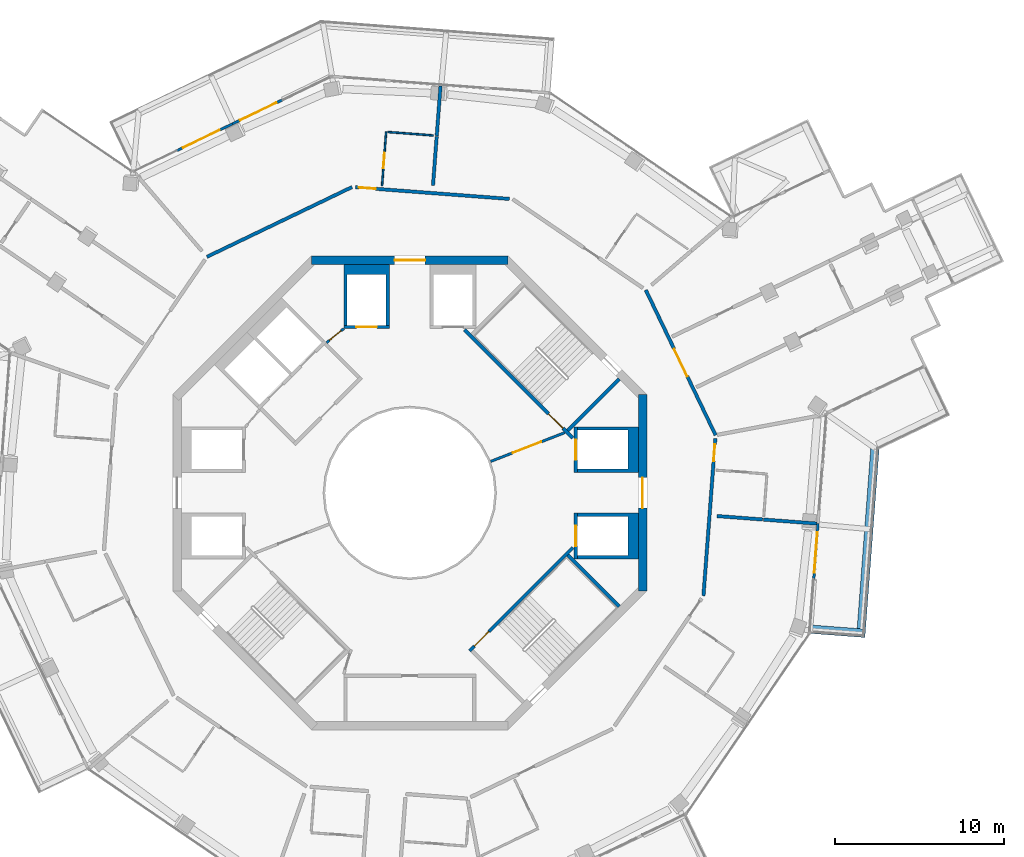
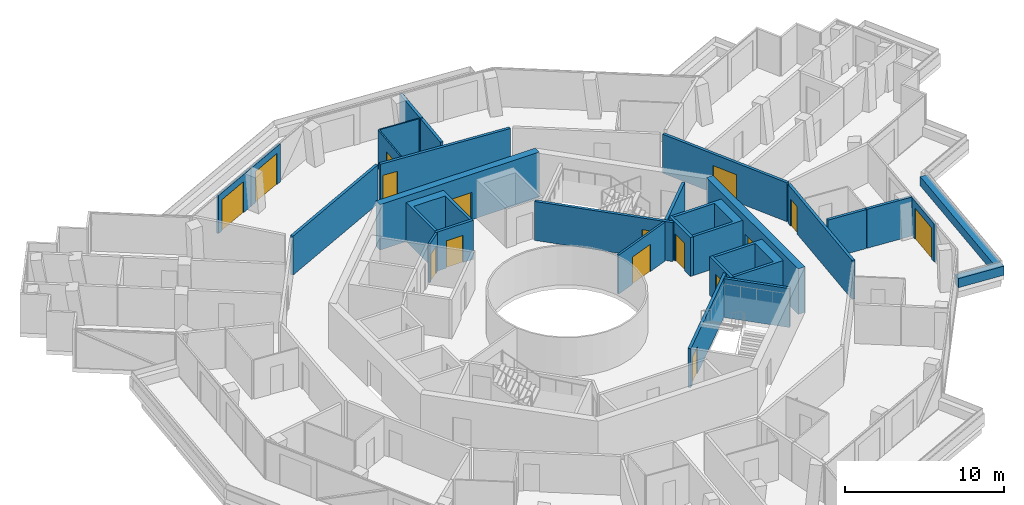
# One storey, part 18 of 23: 29 walls, 16 doors, 16 openings.
"""IFC4 building model written with IfcOpenShell, lengths in metres."""

from ifc_helpers import new_model, si_unit, direction, frame, frame_2d, origin, place, context, subcontext, project, spatial, polyline, rectangle, outline, extrude, material, layer, layer_set, type_object, element, fill, save


model = new_model("IFC4")

# Units and contexts
model_context = context("Model", 3, precision=1e-05, world=origin(), true_north=direction((0.0, 1.0)))
body_context = subcontext(model_context, "Body", "Model", "MODEL_VIEW")
ifc_project = project(units=[si_unit("LENGTHUNIT", "METRE"), si_unit("AREAUNIT", "SQUARE_METRE"), si_unit("VOLUMEUNIT", "CUBIC_METRE"), si_unit("PLANEANGLEUNIT", "RADIAN"), si_unit("MASSUNIT", "GRAM", prefix="KILO")], contexts=[model_context])

# Site, building, storey
site_placement = place(None, origin())
site = spatial("IfcSite", under=ifc_project, at=site_placement, CompositionType="ELEMENT")
building_placement = place(site_placement, origin())
building = spatial("IfcBuilding", under=site, at=building_placement, Name="Verdalira Terraces Hotel", CompositionType="ELEMENT")
storey_placement = place(building_placement, frame((0.0, 0.0, 259.5)))
storey = spatial("IfcBuildingStorey", under=building, at=storey_placement, Name="L64", CompositionType="ELEMENT", Elevation=259.5)

# Walls
ifc_material_1 = material(Name="Concrete C40", Category="concrete")
ifc_layer_1 = layer(ifc_material_1, 0.5)
ifc_layer_set_1 = layer_set([ifc_layer_1], Name="Balcony planter trough with tree")
wall_type_1 = type_object("IfcWallType", Name="Balcony planter trough with tree", PredefinedType="SOLIDWALL", material=ifc_layer_set_1)
wall_1_placement = place(storey_placement, frame((23.719727, -8.05957, 0.0), z_axis=(0.0, 0.0, 1.0), x_axis=(0.997158606, -0.075330696, 0.0)))
element("IfcWall", 1, at=wall_1_placement, inside=storey, type_object=wall_type_1, Name="Balcony planter", PredefinedType="SOLIDWALL", context=body_context, shape_type="SweptSolid", body=[
    extrude(rectangle(XDim=3.19873, YDim=0.5, at=frame_2d((1.599365, 0.0))), origin(), (0.0, 0.0, 1.0), 0.699951),
])
wall_2_placement = place(storey_placement, frame((26.678955, -8.032471, 0.0), z_axis=(0.0, 0.0, 1.0), x_axis=(0.075332915, 0.997158439, 0.0)))
element("IfcWall", 2, at=wall_2_placement, inside=storey, type_object=wall_type_1, Name="Balcony planter", PredefinedType="SOLIDWALL", context=body_context, shape_type="SweptSolid", body=[
    extrude(rectangle(XDim=10.652588, YDim=0.5, at=frame_2d((5.326172, 0.0))), origin(), (0.0, 0.0, 1.0), 0.699951),
])

# Wall, opening, door
ifc_material_2 = material(Name="Moisture-resistant gypsum board partition")
ifc_layer_2 = layer(ifc_material_2, 0.10009765625)
ifc_layer_set_2 = layer_set([ifc_layer_2], Name="Bathroom partition 100 mm")
wall_type_2 = type_object("IfcWallType", Name="Bathroom partition 100 mm", PredefinedType="PARTITIONING", material=ifc_layer_set_2)
wall_3_placement = place(storey_placement, frame((-1.397705, 21.324219, 0.0), z_axis=(0.0, 0.0, 1.0), x_axis=(-0.075302041, -0.997160771, 0.0)))
wall_3 = element("IfcWall", 3, at=wall_3_placement, inside=storey, type_object=wall_type_2, Name="Bathroom partition", PredefinedType="PARTITIONING", context=body_context, shape_type="SweptSolid", body=[
    extrude(rectangle(XDim=3.199951, YDim=0.100098, at=frame_2d((1.600098, 0.0))), origin(), (0.0, 0.0, 1.0), 3.0),
])
opening_1_placement = place(wall_3_placement, frame((1.25, 0.0, 0.0)))
opening_1 = element("IfcOpeningElement", 4, at=opening_1_placement, cuts=wall_3, Name="Opening L64-128", PredefinedType="OPENING", context=body_context, shape_type="SweptSolid", body=[
    extrude(rectangle(XDim=0.899902, YDim=2.100098, at=frame_2d((0.449951, 1.050049))), frame((0.0, 0.060059, 0.0), z_axis=(0.0, -1.0, 0.0), x_axis=(1.0, 0.0, 0.0)), (0.0, 0.0, 1.0), 0.120117),
])
ifc_material_3 = material(Name="Timber door", Category="wood")
door_type_1 = type_object("IfcDoorType", Name="Bathroom door 900 x 2100", OperationType="NOTDEFINED", PredefinedType="DOOR", material=ifc_material_3)
door_1_placement = place(opening_1_placement, origin())
door_1 = element("IfcDoor", 5, at=door_1_placement, inside=storey, type_object=door_type_1, Name="Bathroom door 6412", OperationType="SINGLE_SWING_LEFT", OverallHeight=2.10009765625, OverallWidth=0.89990234375, PredefinedType="DOOR", context=body_context, shape_type="SweptSolid", body=[
    extrude(rectangle(XDim=0.899902, YDim=2.100098, at=frame_2d((0.449951, 1.050049))), frame((0.0, 0.024902, 0.0), z_axis=(0.0, -1.0, 0.0), x_axis=(1.0, 0.0, 0.0)), (0.0, 0.0, 1.0), 0.050049),
])
fill(opening_1, door_1)

# Walls
wall_4_placement = place(storey_placement, frame((-1.298096, 21.31665, 0.0), z_axis=(0.0, 0.0, 1.0), x_axis=(0.997159381, -0.075320436, 0.0)))
element("IfcWall", 6, at=wall_4_placement, inside=storey, type_object=wall_type_2, Name="Bathroom partition", PredefinedType="PARTITIONING", context=body_context, shape_type="SweptSolid", body=[
    extrude(rectangle(XDim=2.699951, YDim=0.100098, at=frame_2d((1.350098, 0.0))), origin(), (0.0, 0.0, 1.0), 3.0),
])
ifc_material_4 = material(Name="Concrete C50", Category="concrete")
ifc_layer_3 = layer(ifc_material_4, 0.199951171875)
ifc_layer_set_3 = layer_set([ifc_layer_3], Name="Core RC wall 200 C50")
wall_type_3 = type_object("IfcWallType", Name="Core RC wall 200 C50", PredefinedType="SOLIDWALL", material=ifc_layer_set_3)
wall_5_placement = place(storey_placement, origin())
element("IfcWall", 7, at=wall_5_placement, inside=storey, type_object=wall_type_3, Name="L64 shaft wall E1", PredefinedType="SOLIDWALL", context=body_context, shape_type="SweptSolid", body=[
    extrude(outline(polyline([(13.5, -3.899902), (9.899902, -3.899902), (9.899902, -3.699951), (12.899902, -3.699951), (12.899902, -1.399902), (9.899902, -1.399902), (9.899902, -1.199951), (13.5, -1.199951), (13.5, -3.899902)])), origin(), (0.0, 0.0, 1.0), 3.0),
])

# Wall, opening, door
wall_6_placement = place(storey_placement, frame((9.800049, -1.199951, 0.0), z_axis=(0.0, 0.0, 1.0), x_axis=(0.0, -1.0, 0.0)))
wall_6 = element("IfcWall", 8, at=wall_6_placement, inside=storey, type_object=wall_type_3, Name="L64 shaft front wall E1", PredefinedType="SOLIDWALL", context=body_context, shape_type="SweptSolid", body=[
    extrude(rectangle(XDim=2.699951, YDim=0.199951, at=frame_2d((1.350098, 0.0))), origin(), (0.0, 0.0, 1.0), 3.0),
])
opening_2_placement = place(wall_6_placement, frame((0.75, 0.0, 0.0)))
opening_2 = element("IfcOpeningElement", 9, at=opening_2_placement, cuts=wall_6, Name="Opening LD-L64-802", PredefinedType="OPENING", context=body_context, shape_type="SweptSolid", body=[
    extrude(rectangle(XDim=1.199951, YDim=2.100098, at=frame_2d((0.600098, 1.050049))), frame((0.0, 0.109863, 0.0), z_axis=(0.0, -1.0, 0.0), x_axis=(1.0, 0.0, 0.0)), (0.0, 0.0, 1.0), 0.219971),
])
ifc_material_5 = material(Name="Stainless steel", Category="steel")
door_type_2 = type_object("IfcDoorType", Name="Landing door 1200 x 2100", OperationType="NOTDEFINED", PredefinedType="DOOR", material=ifc_material_5)
door_2_placement = place(opening_2_placement, origin())
door_2 = element("IfcDoor", 10, at=door_2_placement, inside=storey, type_object=door_type_2, Name="Lift landing door HR1 L64", OperationType="DOUBLE_DOOR_SLIDING", OverallHeight=2.10009765625, OverallWidth=1.199951171875, PredefinedType="DOOR", context=body_context, shape_type="SweptSolid", body=[
    extrude(rectangle(XDim=1.199951, YDim=2.100098, at=frame_2d((0.600098, 1.050049))), frame((0.0, 0.024902, 0.0), z_axis=(0.0, -1.0, 0.0), x_axis=(1.0, 0.0, 0.0)), (0.0, 0.0, 1.0), 0.050049),
])
fill(opening_2, door_2)

# Wall
wall_7_placement = place(storey_placement, origin())
element("IfcWall", 11, at=wall_7_placement, inside=storey, type_object=wall_type_3, Name="L64 shaft wall E2", PredefinedType="SOLIDWALL", context=body_context, shape_type="SweptSolid", body=[
    extrude(outline(polyline([(13.5, 3.899902), (13.5, 1.199951), (9.899902, 1.199951), (9.899902, 1.399902), (12.899902, 1.399902), (12.899902, 3.699951), (9.899902, 3.699951), (9.899902, 3.899902), (13.5, 3.899902)])), origin(), (0.0, 0.0, 1.0), 3.0),
])

# Wall, opening, door
wall_8_placement = place(storey_placement, frame((9.800049, 1.199951, 0.0), z_axis=(0.0, 0.0, 1.0), x_axis=(0.0, 1.0, 0.0)))
wall_8 = element("IfcWall", 12, at=wall_8_placement, inside=storey, type_object=wall_type_3, Name="L64 shaft front wall E2", PredefinedType="SOLIDWALL", context=body_context, shape_type="SweptSolid", body=[
    extrude(rectangle(XDim=2.699951, YDim=0.199951, at=frame_2d((1.350098, 0.0))), origin(), (0.0, 0.0, 1.0), 3.0),
])
opening_3_placement = place(wall_8_placement, frame((0.75, 0.0, 0.0)))
opening_3 = element("IfcOpeningElement", 13, at=opening_3_placement, cuts=wall_8, Name="Opening LD-L64-803", PredefinedType="OPENING", context=body_context, shape_type="SweptSolid", body=[
    extrude(rectangle(XDim=1.199951, YDim=2.100098, at=frame_2d((0.600098, 1.050049))), frame((0.0, 0.109863, 0.0), z_axis=(0.0, -1.0, 0.0), x_axis=(1.0, 0.0, 0.0)), (0.0, 0.0, 1.0), 0.219971),
])
door_3_placement = place(opening_3_placement, origin())
door_3 = element("IfcDoor", 14, at=door_3_placement, inside=storey, type_object=door_type_2, Name="Lift landing door HR2 L64", OperationType="DOUBLE_DOOR_SLIDING", OverallHeight=2.10009765625, OverallWidth=1.199951171875, PredefinedType="DOOR", context=body_context, shape_type="SweptSolid", body=[
    extrude(rectangle(XDim=1.199951, YDim=2.100098, at=frame_2d((0.600098, 1.050049))), frame((0.0, 0.024902, 0.0), z_axis=(0.0, -1.0, 0.0), x_axis=(1.0, 0.0, 0.0)), (0.0, 0.0, 1.0), 0.050049),
])
fill(opening_3, door_3)

# Wall
wall_9_placement = place(storey_placement, origin())
element("IfcWall", 15, at=wall_9_placement, inside=storey, type_object=wall_type_3, Name="L64 shaft wall N2", PredefinedType="SOLIDWALL", context=body_context, shape_type="SweptSolid", body=[
    extrude(outline(polyline([(-3.899902, 13.5), (-1.199951, 13.5), (-1.199951, 9.899902), (-1.399902, 9.899902), (-1.399902, 12.899902), (-3.699951, 12.899902), (-3.699951, 9.899902), (-3.899902, 9.899902), (-3.899902, 13.5)])), origin(), (0.0, 0.0, 1.0), 3.0),
])

# Wall, opening, door
wall_10_placement = place(storey_placement, frame((-1.199951, 9.800049, 0.0), z_axis=(0.0, 0.0, 1.0), x_axis=(-1.0, 0.0, 0.0)))
wall_10 = element("IfcWall", 16, at=wall_10_placement, inside=storey, type_object=wall_type_3, Name="L64 shaft front wall N2", PredefinedType="SOLIDWALL", context=body_context, shape_type="SweptSolid", body=[
    extrude(rectangle(XDim=2.699951, YDim=0.199951, at=frame_2d((1.350098, 0.0))), origin(), (0.0, 0.0, 1.0), 3.0),
])
opening_4_placement = place(wall_10_placement, frame((0.75, 0.0, 0.0)))
opening_4 = element("IfcOpeningElement", 17, at=opening_4_placement, cuts=wall_10, Name="Opening LD-L64-805", PredefinedType="OPENING", context=body_context, shape_type="SweptSolid", body=[
    extrude(rectangle(XDim=1.199951, YDim=2.100098, at=frame_2d((0.600098, 1.050049))), frame((0.0, 0.109863, 0.0), z_axis=(0.0, -1.0, 0.0), x_axis=(1.0, 0.0, 0.0)), (0.0, 0.0, 1.0), 0.219971),
])
door_4_placement = place(opening_4_placement, origin())
door_4 = element("IfcDoor", 18, at=door_4_placement, inside=storey, type_object=door_type_2, Name="Lift landing door HR4 L64", OperationType="DOUBLE_DOOR_SLIDING", OverallHeight=2.10009765625, OverallWidth=1.199951171875, PredefinedType="DOOR", context=body_context, shape_type="SweptSolid", body=[
    extrude(rectangle(XDim=1.199951, YDim=2.100098, at=frame_2d((0.600098, 1.050049))), frame((0.0, 0.024902, 0.0), z_axis=(0.0, -1.0, 0.0), x_axis=(1.0, 0.0, 0.0)), (0.0, 0.0, 1.0), 0.050049),
])
fill(opening_4, door_4)

wall_11_placement = place(storey_placement, frame((3.23999, 9.629395, 0.0), z_axis=(0.0, 0.0, 1.0), x_axis=(0.707106781, -0.707106781, 0.0)))
wall_11 = element("IfcWall", 19, at=wall_11_placement, inside=storey, type_object=wall_type_3, Name="L64 stair ST1 front wall", PredefinedType="SOLIDWALL", context=body_context, shape_type="SweptSolid", body=[
    extrude(rectangle(XDim=9.035889, YDim=0.199951, at=frame_2d((4.518066, 0.0))), origin(), (0.0, 0.0, 1.0), 3.0),
])
opening_5_placement = place(wall_11_placement, frame((7.017822, 0.0, 0.0)))
opening_5 = element("IfcOpeningElement", 20, at=opening_5_placement, cuts=wall_11, Name="Opening L64-810", PredefinedType="OPENING", context=body_context, shape_type="SweptSolid", body=[
    extrude(rectangle(XDim=1.199951, YDim=2.100098, at=frame_2d((0.600098, 1.050049))), frame((0.0, 0.109863, 0.0), z_axis=(0.0, -1.0, 0.0), x_axis=(1.0, 0.0, 0.0)), (0.0, 0.0, 1.0), 0.219971),
])
ifc_material_6 = material(Name="Steel fire door", Category="steel")
door_type_3 = type_object("IfcDoorType", Name="Stair door 1200 x 2100", OperationType="NOTDEFINED", PredefinedType="DOOR", material=ifc_material_6)
door_5_placement = place(opening_5_placement, origin())
door_5 = element("IfcDoor", 21, at=door_5_placement, inside=storey, type_object=door_type_3, Name="Stair door ST1 L64", OperationType="SINGLE_SWING_RIGHT", OverallHeight=2.10009765625, OverallWidth=1.199951171875, PredefinedType="DOOR", context=body_context, shape_type="SweptSolid", body=[
    extrude(rectangle(XDim=1.199951, YDim=2.100098, at=frame_2d((0.600098, 1.050049))), frame((0.0, 0.024902, 0.0), z_axis=(0.0, -1.0, 0.0), x_axis=(1.0, 0.0, 0.0)), (0.0, 0.0, 1.0), 0.050049),
])
fill(opening_5, door_5)

# Wall
wall_12_placement = place(storey_placement, frame((9.33374, 3.677002, 0.0), z_axis=(0.0, 0.0, 1.0), x_axis=(0.707135168, 0.707078393, 0.0)))
element("IfcWall", 22, at=wall_12_placement, inside=storey, type_object=wall_type_3, Name="L64 stair ST1 end wall 1", PredefinedType="SOLIDWALL", context=body_context, shape_type="SweptSolid", body=[
    extrude(rectangle(XDim=4.300049, YDim=0.199951, at=frame_2d((2.149902, 0.0))), origin(), (0.0, 0.0, 1.0), 3.0),
])

# Wall, opening, door
wall_13_placement = place(storey_placement, frame((9.629395, -3.23999, 0.0), z_axis=(0.0, 0.0, 1.0), x_axis=(-0.707120946, -0.707092617, 0.0)))
wall_13 = element("IfcWall", 23, at=wall_13_placement, inside=storey, type_object=wall_type_3, Name="L64 stair ST3 front wall", PredefinedType="SOLIDWALL", context=body_context, shape_type="SweptSolid", body=[
    extrude(rectangle(XDim=8.61792, YDim=0.199951, at=frame_2d((4.309082, 0.0))), origin(), (0.0, 0.0, 1.0), 3.0),
])
opening_6_placement = place(wall_13_placement, frame((7.017822, 0.0, 0.0)))
opening_6 = element("IfcOpeningElement", 24, at=opening_6_placement, cuts=wall_13, Name="Opening L64-812", PredefinedType="OPENING", context=body_context, shape_type="SweptSolid", body=[
    extrude(rectangle(XDim=1.199951, YDim=2.100098, at=frame_2d((0.600098, 1.050049))), frame((0.0, 0.109863, 0.0), z_axis=(0.0, -1.0, 0.0), x_axis=(1.0, 0.0, 0.0)), (0.0, 0.0, 1.0), 0.219971),
])
door_6_placement = place(opening_6_placement, origin())
door_6 = element("IfcDoor", 25, at=door_6_placement, inside=storey, type_object=door_type_3, Name="Stair door ST3 L64", OperationType="SINGLE_SWING_RIGHT", OverallHeight=2.10009765625, OverallWidth=1.199951171875, PredefinedType="DOOR", context=body_context, shape_type="SweptSolid", body=[
    extrude(rectangle(XDim=1.199951, YDim=2.100098, at=frame_2d((0.600098, 1.050049))), frame((0.0, 0.024902, 0.0), z_axis=(0.0, -1.0, 0.0), x_axis=(1.0, 0.0, 0.0)), (0.0, 0.0, 1.0), 0.050049),
])
fill(opening_6, door_6)

# Wall
wall_14_placement = place(storey_placement, frame((9.33374, -3.677002, 0.0), z_axis=(0.0, 0.0, 1.0), x_axis=(0.707135168, -0.707078393, 0.0)))
element("IfcWall", 26, at=wall_14_placement, inside=storey, type_object=wall_type_3, Name="L64 stair ST3 end wall 2", PredefinedType="SOLIDWALL", context=body_context, shape_type="SweptSolid", body=[
    extrude(rectangle(XDim=4.300049, YDim=0.199951, at=frame_2d((2.149902, 0.0))), origin(), (0.0, 0.0, 1.0), 3.0),
])

# Wall, opening, door
ifc_material_7 = material(Name="Gypsum board partition")
ifc_layer_4 = layer(ifc_material_7, 0.14990234375)
ifc_layer_set_4 = layer_set([ifc_layer_4], Name="Core partition 150 mm")
wall_type_4 = type_object("IfcWallType", Name="Core partition 150 mm", PredefinedType="PARTITIONING", material=ifc_layer_set_4)
wall_15_placement = place(storey_placement, frame((-3.899902, 9.699951, 0.0), z_axis=(0.0, 0.0, 1.0), x_axis=(-0.775559878, -0.631274009, 0.0)))
wall_15 = element("IfcWall", 27, at=wall_15_placement, inside=storey, type_object=wall_type_4, Name="Room partition L64", PredefinedType="PARTITIONING", context=body_context, shape_type="SweptSolid", body=[
    extrude(rectangle(XDim=1.307861, YDim=0.149902, at=frame_2d((0.653809, 0.0))), origin(), (0.0, 0.0, 1.0), 3.0),
])
opening_7_placement = place(wall_15_placement, frame((0.204102, 0.0, 0.0)))
opening_7 = element("IfcOpeningElement", 28, at=opening_7_placement, cuts=wall_15, Name="Opening L64-820", PredefinedType="OPENING", context=body_context, shape_type="SweptSolid", body=[
    extrude(rectangle(XDim=0.899902, YDim=2.100098, at=frame_2d((0.449951, 1.050049))), frame((0.0, 0.084961, 0.0), z_axis=(0.0, -1.0, 0.0), x_axis=(1.0, 0.0, 0.0)), (0.0, 0.0, 1.0), 0.169922),
])
ifc_material_8 = material(Name="Steel fire door", Category="steel")
door_type_4 = type_object("IfcDoorType", Name="Core room door 900 x 2100", OperationType="NOTDEFINED", PredefinedType="DOOR", material=ifc_material_8)
door_7_placement = place(opening_7_placement, origin())
door_7 = element("IfcDoor", 29, at=door_7_placement, inside=storey, type_object=door_type_4, Name="Door L64 room2", OperationType="SINGLE_SWING_LEFT", OverallHeight=2.10009765625, OverallWidth=0.89990234375, PredefinedType="DOOR", context=body_context, shape_type="SweptSolid", body=[
    extrude(rectangle(XDim=0.899902, YDim=2.100098, at=frame_2d((0.449951, 1.050049))), frame((0.0, 0.024902, 0.0), z_axis=(0.0, -1.0, 0.0), x_axis=(1.0, 0.0, 0.0)), (0.0, 0.0, 1.0), 0.050049),
])
fill(opening_7, door_7)

wall_16_placement = place(storey_placement, frame((4.781982, 1.857178, 0.0), z_axis=(0.0, 0.0, 1.0), x_axis=(0.932155279, 0.362058746, 0.0)))
wall_16 = element("IfcWall", 30, at=wall_16_placement, inside=storey, type_object=wall_type_4, Name="Gallery fire partition L64", PredefinedType="PARTITIONING", context=body_context, shape_type="SweptSolid", body=[
    extrude(rectangle(XDim=4.682373, YDim=0.149902, at=frame_2d((2.341309, 0.0))), origin(), (0.0, 0.0, 1.0), 3.0),
])
opening_8_placement = place(wall_16_placement, frame((1.399902, 0.0, 0.0)))
opening_8 = element("IfcOpeningElement", 31, at=opening_8_placement, cuts=wall_16, Name="Opening L64-823", PredefinedType="OPENING", context=body_context, shape_type="SweptSolid", body=[
    extrude(rectangle(XDim=1.800049, YDim=2.100098, at=frame_2d((0.899902, 1.050049))), frame((0.0, 0.084961, 0.0), z_axis=(0.0, -1.0, 0.0), x_axis=(1.0, 0.0, 0.0)), (0.0, 0.0, 1.0), 0.169922),
])
ifc_material_9 = material(Name="Steel fire door", Category="steel")
door_type_5 = type_object("IfcDoorType", Name="Gallery fire door pair 1800 x 2100", OperationType="NOTDEFINED", PredefinedType="DOOR", material=ifc_material_9)
door_8_placement = place(opening_8_placement, origin())
door_8 = element("IfcDoor", 32, at=door_8_placement, inside=storey, type_object=door_type_5, Name="Door L64 split0", OperationType="DOUBLE_DOOR_SINGLE_SWING", OverallHeight=2.10009765625, OverallWidth=1.800048828125, PredefinedType="DOOR", context=body_context, shape_type="SweptSolid", body=[
    extrude(rectangle(XDim=1.800049, YDim=2.100098, at=frame_2d((0.899902, 1.050049))), frame((0.0, 0.024902, 0.0), z_axis=(0.0, -1.0, 0.0), x_axis=(1.0, 0.0, 0.0)), (0.0, 0.0, 1.0), 0.050049),
])
fill(opening_8, door_8)

ifc_material_10 = material(Name="Concrete C50", Category="concrete")
ifc_layer_5 = layer(ifc_material_10, 0.5)
ifc_layer_set_5 = layer_set([ifc_layer_5], Name="Core wall 500 C50")
wall_type_5 = type_object("IfcWallType", Name="Core wall 500 C50", PredefinedType="SHEAR", material=ifc_layer_set_5)
wall_17_placement = place(storey_placement, frame((13.75, -5.799072, 0.0), z_axis=(0.0, 0.0, 1.0), x_axis=(0.0, 1.0, 0.0)))
wall_17 = element("IfcWall", 33, at=wall_17_placement, inside=storey, type_object=wall_type_5, Name="Core wall CW-L64-1", PredefinedType="SHEAR", context=body_context, shape_type="SweptSolid", body=[
    extrude(rectangle(XDim=11.598145, YDim=0.5, at=frame_2d((5.799072, 0.0))), origin(), (0.0, 0.0, 1.0), 3.5),
])
opening_9_placement = place(wall_17_placement, frame((4.898926, 0.0, 0.0)))
opening_9 = element("IfcOpeningElement", 34, at=opening_9_placement, cuts=wall_17, Name="Opening L64-813", PredefinedType="OPENING", context=body_context, shape_type="SweptSolid", body=[
    extrude(rectangle(XDim=1.800049, YDim=2.100098, at=frame_2d((0.899902, 1.050049))), frame((0.0, 0.26001, 0.0), z_axis=(0.0, -1.0, 0.0), x_axis=(1.0, 0.0, 0.0)), (0.0, 0.0, 1.0), 0.52002),
])
ifc_material_11 = material(Name="Steel fire door", Category="steel")
door_type_6 = type_object("IfcDoorType", Name="Core entry door pair 1800 x 2100", OperationType="NOTDEFINED", PredefinedType="DOOR", material=ifc_material_11)
door_9_placement = place(opening_9_placement, origin())
door_9 = element("IfcDoor", 35, at=door_9_placement, inside=storey, type_object=door_type_6, Name="Core entry door L64 0", OperationType="DOUBLE_DOOR_SINGLE_SWING", OverallHeight=2.10009765625, OverallWidth=1.800048828125, PredefinedType="DOOR", context=body_context, shape_type="SweptSolid", body=[
    extrude(rectangle(XDim=1.800049, YDim=2.100098, at=frame_2d((0.899902, 1.050049))), frame((0.0, 0.024902, 0.0), z_axis=(0.0, -1.0, 0.0), x_axis=(1.0, 0.0, 0.0)), (0.0, 0.0, 1.0), 0.050049),
])
fill(opening_9, door_9)

wall_18_placement = place(storey_placement, frame((5.799072, 13.75, 0.0), z_axis=(0.0, 0.0, 1.0), x_axis=(-1.0, 0.0, 0.0)))
wall_18 = element("IfcWall", 36, at=wall_18_placement, inside=storey, type_object=wall_type_5, Name="Core wall CW-L64-3", PredefinedType="SHEAR", context=body_context, shape_type="SweptSolid", body=[
    extrude(rectangle(XDim=11.598145, YDim=0.5, at=frame_2d((5.799072, 0.0))), origin(), (0.0, 0.0, 1.0), 3.5),
])
opening_10_placement = place(wall_18_placement, frame((4.898926, 0.0, 0.0)))
opening_10 = element("IfcOpeningElement", 37, at=opening_10_placement, cuts=wall_18, Name="Opening L64-814", PredefinedType="OPENING", context=body_context, shape_type="SweptSolid", body=[
    extrude(rectangle(XDim=1.800049, YDim=2.100098, at=frame_2d((0.899902, 1.050049))), frame((0.0, 0.26001, 0.0), z_axis=(0.0, -1.0, 0.0), x_axis=(1.0, 0.0, 0.0)), (0.0, 0.0, 1.0), 0.52002),
])
door_10_placement = place(opening_10_placement, origin())
door_10 = element("IfcDoor", 38, at=door_10_placement, inside=storey, type_object=door_type_6, Name="Core entry door L64 2", OperationType="DOUBLE_DOOR_SINGLE_SWING", OverallHeight=2.10009765625, OverallWidth=1.800048828125, PredefinedType="DOOR", context=body_context, shape_type="SweptSolid", body=[
    extrude(rectangle(XDim=1.800049, YDim=2.100098, at=frame_2d((0.899902, 1.050049))), frame((0.0, 0.024902, 0.0), z_axis=(0.0, -1.0, 0.0), x_axis=(1.0, 0.0, 0.0)), (0.0, 0.0, 1.0), 0.050049),
])
fill(opening_10, door_10)

# Walls
ifc_material_12 = material(Name="Fire-rated gypsum board wall")
ifc_layer_6 = layer(ifc_material_12, 0.199951171875)
ifc_layer_set_6 = layer_set([ifc_layer_6], Name="Demising wall 200 mm")
wall_type_6 = type_object("IfcWallType", Name="Demising wall 200 mm", PredefinedType="SOLIDWALL", material=ifc_layer_set_6)
wall_19_placement = place(storey_placement, frame((1.371338, 18.153809, 0.0), z_axis=(0.0, 0.0, 1.0), x_axis=(0.075308129, 0.997160311, 0.0)))
element("IfcWall", 39, at=wall_19_placement, inside=storey, type_object=wall_type_6, Name="Demising wall", PredefinedType="SOLIDWALL", context=body_context, shape_type="SweptSolid", body=[
    extrude(rectangle(XDim=2.904785, YDim=0.199951, at=frame_2d((1.452393, 0.0))), origin(), (0.0, 0.0, 1.0), 3.0),
])
wall_20_placement = place(storey_placement, frame((1.593506, 21.096191, 0.0), z_axis=(0.0, 0.0, 1.0), x_axis=(0.075343008, 0.997157676, 0.0)))
element("IfcWall", 40, at=wall_20_placement, inside=storey, type_object=wall_type_6, Name="Demising wall", PredefinedType="SOLIDWALL", context=body_context, shape_type="SweptSolid", body=[
    extrude(rectangle(XDim=2.951904, YDim=0.199951, at=frame_2d((1.476074, 0.0))), origin(), (0.0, 0.0, 1.0), 3.0),
])
wall_21_placement = place(storey_placement, frame((18.153809, -1.371338, 0.0), z_axis=(0.0, 0.0, 1.0), x_axis=(0.997155551, -0.075371131, 0.0)))
element("IfcWall", 41, at=wall_21_placement, inside=storey, type_object=wall_type_6, Name="Demising wall", PredefinedType="SOLIDWALL", context=body_context, shape_type="SweptSolid", body=[
    extrude(rectangle(XDim=2.704834, YDim=0.199951, at=frame_2d((1.352539, 0.0))), origin(), (0.0, 0.0, 1.0), 3.0),
])
wall_22_placement = place(storey_placement, frame((20.896729, -1.578613, 0.0), z_axis=(0.0, 0.0, 1.0), x_axis=(0.997161927, -0.075286732, 0.0)))
element("IfcWall", 42, at=wall_22_placement, inside=storey, type_object=wall_type_6, Name="Demising wall", PredefinedType="SOLIDWALL", context=body_context, shape_type="SweptSolid", body=[
    extrude(rectangle(XDim=3.1521, YDim=0.199951, at=frame_2d((1.576172, 0.0))), origin(), (0.0, 0.0, 1.0), 3.0),
])
ifc_material_13 = material(Name="Fire-rated gypsum board wall")
ifc_layer_7 = layer(ifc_material_13, 0.199951171875)
ifc_layer_set_7 = layer_set([ifc_layer_7], Name="Guest corridor wall 200 mm")
wall_type_7 = type_object("IfcWallType", Name="Guest corridor wall 200 mm", PredefinedType="SOLIDWALL", material=ifc_layer_set_7)
wall_23_placement = place(storey_placement, frame((-3.407715, 18.066162, 0.0), z_axis=(0.0, 0.0, 1.0), x_axis=(-0.901226991, -0.433347333, 0.0)))
element("IfcWall", 43, at=wall_23_placement, inside=storey, type_object=wall_type_7, Name="Guest corridor wall", PredefinedType="SOLIDWALL", context=body_context, shape_type="SweptSolid", body=[
    extrude(rectangle(XDim=9.516113, YDim=0.199951, at=frame_2d((4.758057, 0.0))), origin(), (0.0, 0.0, 1.0), 3.0),
])

# Wall, opening, door
wall_24_placement = place(storey_placement, frame((-3.207275, 18.05127, 0.0), z_axis=(0.0, 0.0, 1.0), x_axis=(0.997158012, -0.075338566, 0.0)))
wall_24 = element("IfcWall", 44, at=wall_24_placement, inside=storey, type_object=wall_type_7, Name="Guest corridor wall", PredefinedType="SOLIDWALL", context=body_context, shape_type="SweptSolid", body=[
    extrude(rectangle(XDim=9.115723, YDim=0.199951, at=frame_2d((4.557861, 0.0))), origin(), (0.0, 0.0, 1.0), 3.0),
])
opening_11_placement = place(wall_24_placement, frame((0.199951, 0.0, 0.0)))
opening_11 = element("IfcOpeningElement", 45, at=opening_11_placement, cuts=wall_24, Name="Opening L64-127", PredefinedType="OPENING", context=body_context, shape_type="SweptSolid", body=[
    extrude(rectangle(XDim=1.0, YDim=2.100098, at=frame_2d((0.5, 1.050049))), frame((0.0, 0.109863, 0.0), z_axis=(0.0, -1.0, 0.0), x_axis=(1.0, 0.0, 0.0)), (0.0, 0.0, 1.0), 0.219971),
])
ifc_material_14 = material(Name="Timber fire door", Category="wood")
door_type_7 = type_object("IfcDoorType", Name="Guest entry door 1000 x 2100", OperationType="NOTDEFINED", PredefinedType="DOOR", material=ifc_material_14)
door_11_placement = place(opening_11_placement, origin())
door_11 = element("IfcDoor", 46, at=door_11_placement, inside=storey, type_object=door_type_7, Name="Guest entry door 6412", OperationType="SINGLE_SWING_LEFT", OverallHeight=2.10009765625, OverallWidth=1.0, PredefinedType="DOOR", context=body_context, shape_type="SweptSolid", body=[
    extrude(rectangle(XDim=1.0, YDim=2.100098, at=frame_2d((0.5, 1.050049))), frame((0.0, 0.024902, 0.0), z_axis=(0.0, -1.0, 0.0), x_axis=(1.0, 0.0, 0.0)), (0.0, 0.0, 1.0), 0.050049),
])
fill(opening_11, door_11)

wall_25_placement = place(storey_placement, frame((13.942383, 11.983887, 0.0), z_axis=(0.0, 0.0, 1.0), x_axis=(0.433338112, -0.901231424, 0.0)))
wall_25 = element("IfcWall", 47, at=wall_25_placement, inside=storey, type_object=wall_type_7, Name="Guest corridor wall", PredefinedType="SOLIDWALL", context=body_context, shape_type="SweptSolid", body=[
    extrude(rectangle(XDim=9.516846, YDim=0.199951, at=frame_2d((4.758301, 0.0))), origin(), (0.0, 0.0, 1.0), 3.0),
])
opening_12_placement = place(wall_25_placement, frame((3.859131, 0.0, 0.0)))
opening_12 = element("IfcOpeningElement", 48, at=opening_12_placement, cuts=wall_25, Name="Opening L64-121", PredefinedType="OPENING", context=body_context, shape_type="SweptSolid", body=[
    extrude(rectangle(XDim=1.800049, YDim=2.100098, at=frame_2d((0.899902, 1.050049))), frame((0.0, 0.109863, 0.0), z_axis=(0.0, -1.0, 0.0), x_axis=(1.0, 0.0, 0.0)), (0.0, 0.0, 1.0), 0.219971),
])
ifc_material_15 = material(Name="Timber fire door", Category="wood")
door_type_8 = type_object("IfcDoorType", Name="Public room double door 1800 x 2100", OperationType="NOTDEFINED", PredefinedType="DOOR", material=ifc_material_15)
door_12_placement = place(opening_12_placement, origin())
door_12 = element("IfcDoor", 49, at=door_12_placement, inside=storey, type_object=door_type_8, Name="Public room double door 6410", OperationType="DOUBLE_DOOR_SINGLE_SWING", OverallHeight=2.10009765625, OverallWidth=1.800048828125, PredefinedType="DOOR", context=body_context, shape_type="SweptSolid", body=[
    extrude(rectangle(XDim=1.800049, YDim=2.100098, at=frame_2d((0.899902, 1.050049))), frame((0.0, 0.024902, 0.0), z_axis=(0.0, -1.0, 0.0), x_axis=(1.0, 0.0, 0.0)), (0.0, 0.0, 1.0), 0.050049),
])
fill(opening_12, door_12)

wall_26_placement = place(storey_placement, frame((18.05127, 3.207764, 0.0), z_axis=(0.0, 0.0, 1.0), x_axis=(-0.075315684, -0.99715974, 0.0)))
wall_26 = element("IfcWall", 50, at=wall_26_placement, inside=storey, type_object=wall_type_7, Name="Guest corridor wall", PredefinedType="SOLIDWALL", context=body_context, shape_type="SweptSolid", body=[
    extrude(rectangle(XDim=9.316162, YDim=0.199951, at=frame_2d((4.658203, 0.0))), origin(), (0.0, 0.0, 1.0), 3.0),
])
opening_13_placement = place(wall_26_placement, frame((0.350098, 0.0, 0.0)))
opening_13 = element("IfcOpeningElement", 51, at=opening_13_placement, cuts=wall_26, Name="Opening L64-119", PredefinedType="OPENING", context=body_context, shape_type="SweptSolid", body=[
    extrude(rectangle(XDim=1.0, YDim=2.100098, at=frame_2d((0.5, 1.050049))), frame((0.0, 0.109863, 0.0), z_axis=(0.0, -1.0, 0.0), x_axis=(1.0, 0.0, 0.0)), (0.0, 0.0, 1.0), 0.219971),
])
door_13_placement = place(opening_13_placement, origin())
door_13 = element("IfcDoor", 52, at=door_13_placement, inside=storey, type_object=door_type_7, Name="Guest entry door 6409", OperationType="SINGLE_SWING_LEFT", OverallHeight=2.10009765625, OverallWidth=1.0, PredefinedType="DOOR", context=body_context, shape_type="SweptSolid", body=[
    extrude(rectangle(XDim=1.0, YDim=2.100098, at=frame_2d((0.5, 1.050049))), frame((0.0, 0.024902, 0.0), z_axis=(0.0, -1.0, 0.0), x_axis=(1.0, 0.0, 0.0)), (0.0, 0.0, 1.0), 0.050049),
])
fill(opening_13, door_13)

ifc_material_16 = material(Name="Terracotta cladding", Category="masonry")
ifc_layer_8 = layer(ifc_material_16, 0.14990234375)
ifc_layer_set_8 = layer_set([ifc_layer_8], Name="Terracotta door pier 150")
wall_type_8 = type_object("IfcWallType", Name="Terracotta door pier 150", PredefinedType="SOLIDWALL", material=ifc_layer_set_8)
wall_27_placement = place(storey_placement, frame((23.865967, -5.112305, 0.0), z_axis=(0.0, 0.0, 1.0), x_axis=(0.07531041, 0.997160139, 0.0)))
wall_27 = element("IfcWall", 53, at=wall_27_placement, inside=storey, type_object=wall_type_8, Name="Terracotta door pier", PredefinedType="SOLIDWALL", context=body_context, shape_type="SweptSolid", body=[
    extrude(rectangle(XDim=3.300049, YDim=0.149902, at=frame_2d((1.649902, 0.0))), origin(), (0.0, 0.0, 1.0), 2.935059),
])
opening_14_placement = place(wall_27_placement, frame((0.399902, 0.0, 0.0)))
opening_14 = element("IfcOpeningElement", 54, at=opening_14_placement, cuts=wall_27, Name="Opening L64-B07", PredefinedType="OPENING", context=body_context, shape_type="SweptSolid", body=[
    extrude(rectangle(XDim=2.399902, YDim=2.399902, at=frame_2d((1.199951, 1.199951))), frame((0.0, 0.084961, 0.0), z_axis=(0.0, -1.0, 0.0), x_axis=(1.0, 0.0, 0.0)), (0.0, 0.0, 1.0), 0.169922),
])
ifc_material_17 = material(Name="Clear glass", Category="glass")
door_type_9 = type_object("IfcDoorType", Name="Balcony sliding door 2400x2400", OperationType="NOTDEFINED", PredefinedType="DOOR", material=ifc_material_17)
door_14_placement = place(opening_14_placement, origin())
door_14 = element("IfcDoor", 55, at=door_14_placement, inside=storey, type_object=door_type_9, Name="Balcony sliding door", OperationType="SLIDING_TO_RIGHT", OverallHeight=2.39990234375, OverallWidth=2.39990234375, PredefinedType="DOOR", context=body_context, shape_type="SweptSolid", body=[
    extrude(rectangle(XDim=2.399902, YDim=2.399902, at=frame_2d((1.199951, 1.199951))), frame((0.0, 0.024902, 0.0), z_axis=(0.0, -1.0, 0.0), x_axis=(1.0, 0.0, 0.0)), (0.0, 0.0, 1.0), 0.050049),
])
fill(opening_14, door_14)

wall_28_placement = place(storey_placement, frame((-7.505615, 23.224854, 0.0), z_axis=(0.0, 0.0, 1.0), x_axis=(-0.901215754, -0.433370702, 0.0)))
wall_28 = element("IfcWall", 56, at=wall_28_placement, inside=storey, type_object=wall_type_8, Name="Terracotta door pier", PredefinedType="SOLIDWALL", context=body_context, shape_type="SweptSolid", body=[
    extrude(rectangle(XDim=3.300049, YDim=0.149902, at=frame_2d((1.649902, 0.0))), origin(), (0.0, 0.0, 1.0), 2.935059),
])
opening_15_placement = place(wall_28_placement, frame((0.399902, 0.0, 0.0)))
opening_15 = element("IfcOpeningElement", 57, at=opening_15_placement, cuts=wall_28, Name="Opening L64-B14", PredefinedType="OPENING", context=body_context, shape_type="SweptSolid", body=[
    extrude(rectangle(XDim=2.399902, YDim=2.399902, at=frame_2d((1.199951, 1.199951))), frame((0.0, 0.084961, 0.0), z_axis=(0.0, -1.0, 0.0), x_axis=(1.0, 0.0, 0.0)), (0.0, 0.0, 1.0), 0.169922),
])
door_15_placement = place(opening_15_placement, origin())
door_15 = element("IfcDoor", 58, at=door_15_placement, inside=storey, type_object=door_type_9, Name="Balcony sliding door", OperationType="SLIDING_TO_RIGHT", OverallHeight=2.39990234375, OverallWidth=2.39990234375, PredefinedType="DOOR", context=body_context, shape_type="SweptSolid", body=[
    extrude(rectangle(XDim=2.399902, YDim=2.399902, at=frame_2d((1.199951, 1.199951))), frame((0.0, 0.024902, 0.0), z_axis=(0.0, -1.0, 0.0), x_axis=(1.0, 0.0, 0.0)), (0.0, 0.0, 1.0), 0.050049),
])
fill(opening_15, door_15)

wall_29_placement = place(storey_placement, frame((-10.479736, 21.794678, 0.0), z_axis=(0.0, 0.0, 1.0), x_axis=(-0.90124235, -0.43331539, 0.0)))
wall_29 = element("IfcWall", 59, at=wall_29_placement, inside=storey, type_object=wall_type_8, Name="Terracotta door pier", PredefinedType="SOLIDWALL", context=body_context, shape_type="SweptSolid", body=[
    extrude(rectangle(XDim=3.639648, YDim=0.149902, at=frame_2d((1.819824, 0.0))), origin(), (0.0, 0.0, 1.0), 2.935059),
])
opening_16_placement = place(wall_29_placement, frame((0.839844, 0.0, 0.0)))
opening_16 = element("IfcOpeningElement", 60, at=opening_16_placement, cuts=wall_29, Name="Opening L64-B15", PredefinedType="OPENING", context=body_context, shape_type="SweptSolid", body=[
    extrude(rectangle(XDim=2.399902, YDim=2.399902, at=frame_2d((1.199951, 1.199951))), frame((0.0, 0.084961, 0.0), z_axis=(0.0, -1.0, 0.0), x_axis=(1.0, 0.0, 0.0)), (0.0, 0.0, 1.0), 0.169922),
])
door_16_placement = place(opening_16_placement, origin())
door_16 = element("IfcDoor", 61, at=door_16_placement, inside=storey, type_object=door_type_9, Name="Balcony sliding door", OperationType="SLIDING_TO_LEFT", OverallHeight=2.39990234375, OverallWidth=2.39990234375, PredefinedType="DOOR", context=body_context, shape_type="SweptSolid", body=[
    extrude(rectangle(XDim=2.399902, YDim=2.399902, at=frame_2d((1.199951, 1.199951))), frame((0.0, 0.024902, 0.0), z_axis=(0.0, -1.0, 0.0), x_axis=(1.0, 0.0, 0.0)), (0.0, 0.0, 1.0), 0.050049),
])
fill(opening_16, door_16)

save(model, "model.ifc")
